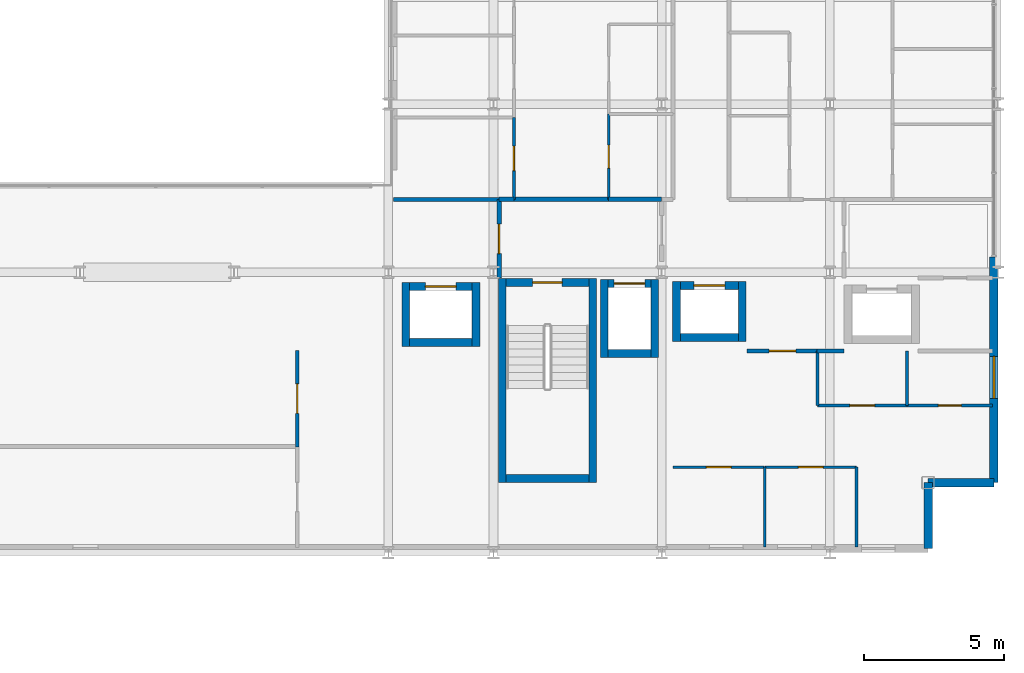
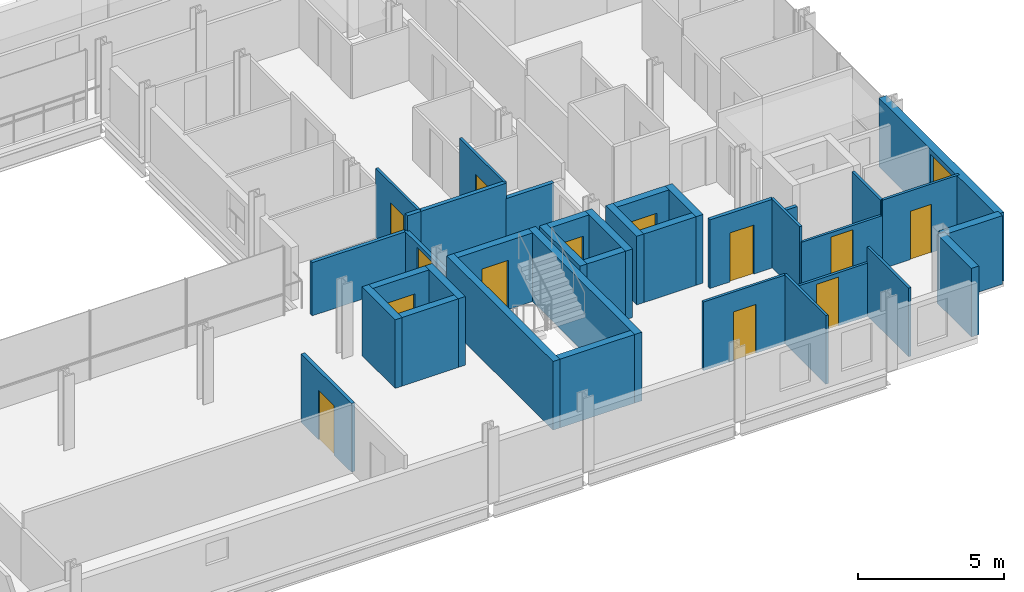
# One storey, part 34 of 41: 37 walls, 13 doors, 1 window, 14 openings.
"""IFC4 building model written with IfcOpenShell, lengths in metres."""

from ifc_helpers import new_model, si_unit, direction, frame, frame_2d, origin, place, context, subcontext, project, spatial, rectangle, extrude, material, layer, layer_set, type_object, element, fill, save


model = new_model("IFC4")

# Units and contexts
model_context = context("Model", 3, precision=1e-05, world=origin(), true_north=direction((0.0, 1.0)))
body_context = subcontext(model_context, "Body", "Model", "MODEL_VIEW")
ifc_project = project(units=[si_unit("LENGTHUNIT", "METRE"), si_unit("AREAUNIT", "SQUARE_METRE"), si_unit("VOLUMEUNIT", "CUBIC_METRE"), si_unit("PLANEANGLEUNIT", "RADIAN"), si_unit("MASSUNIT", "GRAM", prefix="KILO")], contexts=[model_context])

# Site, building, storey
site_placement = place(None, origin())
site = spatial("IfcSite", under=ifc_project, at=site_placement, CompositionType="ELEMENT")
building_placement = place(site_placement, origin())
building = spatial("IfcBuilding", under=site, at=building_placement, Name="Brevholm Reach", CompositionType="ELEMENT")
storey_placement = place(building_placement, frame((0.0, 0.0, 74.5)))
storey = spatial("IfcBuildingStorey", under=building, at=storey_placement, Name="L21", CompositionType="ELEMENT", Elevation=74.5)

# Walls
ifc_material_1 = material(Name="Concrete C50/60", Category="concrete")
ifc_layer_1 = layer(ifc_material_1, 0.280029296875)
ifc_layer_set_1 = layer_set([ifc_layer_1], Name="Concrete C50/60")
wall_type_1 = type_object("IfcWallType", Name="WAL-COR-280", PredefinedType="SHEAR", material=ifc_layer_set_1)
for number, where, z_axis, x_axis, name in (
    (1, (42.31005859375, 2.5, 0.0), (0.0, 0.0, 1.0), (0.0, 1.0, 0.0), "L21 Escape Stair ST-2 Core Wall W"),
    (2, (45.5400390625, 2.5, 0.0), (0.0, 0.0, 1.0), (0.0, 1.0, 0.0), "L21 Escape Stair ST-2 Core Wall E"),
):
    element("IfcWall", number, at=place(storey_placement, frame(where, z_axis=z_axis, x_axis=x_axis)), inside=storey, type_object=wall_type_1, Name=name, PredefinedType="SHEAR", context=body_context, shape_type="SweptSolid", body=[
        extrude(rectangle(XDim=7.280029296875, YDim=0.280029296875, at=frame_2d((3.64013671875, 0.0))), origin(), (0.0, 0.0, 1.0), 2.8701171875),
    ])
wall_1_placement = place(storey_placement, frame((42.449951171875, 2.639892578125, 0.0), z_axis=(0.0, 0.0, 1.0), x_axis=(1.0, 0.0, 0.0)))
element("IfcWall", 3, at=wall_1_placement, inside=storey, type_object=wall_type_1, Name="L21 Escape Stair ST-2 Core Wall S", PredefinedType="SHEAR", context=body_context, shape_type="SweptSolid", body=[
    extrude(rectangle(XDim=2.949951171875, YDim=0.280029296875, at=frame_2d((1.47509765625, 0.0))), origin(), (0.0, 0.0, 1.0), 2.8701171875),
])

# Wall, opening, door
wall_2_placement = place(storey_placement, frame((45.39990234375, 9.639892578125, 0.0), z_axis=(0.0, 0.0, 1.0), x_axis=(-1.0, 0.0, 0.0)))
wall_2 = element("IfcWall", 4, at=wall_2_placement, inside=storey, type_object=wall_type_1, Name="L21 Escape Stair ST-2 Core Wall N", PredefinedType="SHEAR", context=body_context, shape_type="SweptSolid", body=[
    extrude(rectangle(XDim=2.949951171875, YDim=0.280029296875, at=frame_2d((1.47509765625, 0.0))), origin(), (0.0, 0.0, 1.0), 2.8701171875),
])
opening_1_placement = place(wall_2_placement, frame((0.949951171875, 0.0, 0.0)))
opening_1 = element("IfcOpeningElement", 5, at=opening_1_placement, cuts=wall_2, Name="Opening SD-ST-2", PredefinedType="OPENING", context=body_context, shape_type="SweptSolid", body=[
    extrude(rectangle(XDim=1.050048828125, YDim=2.06005859375, at=frame_2d((0.52490234375, 1.030029296875))), frame((0.0, 0.14990234375, 0.0), z_axis=(0.0, -1.0, 0.0), x_axis=(1.0, 0.0, 0.0)), (0.0, 0.0, 1.0), 0.300048828125),
])
ifc_material_2 = material(Name="Hardwood-Lipped Steel-Core Fire and Smoke Door", Category="steel")
door_type_1 = type_object("IfcDoorType", Name="DOR-INT-FD60S", OperationType="NOTDEFINED", PredefinedType="DOOR", material=ifc_material_2)
door_1_placement = place(opening_1_placement, origin())
door_1 = element("IfcDoor", 6, at=door_1_placement, inside=storey, type_object=door_type_1, Name="L21 Protected Stair ST-2 Lobby Door", OperationType="SINGLE_SWING_RIGHT", OverallHeight=2.06005859375, OverallWidth=1.050048828125, PredefinedType="DOOR", context=body_context, shape_type="SweptSolid", body=[
    extrude(rectangle(XDim=1.050048828125, YDim=2.06005859375, at=frame_2d((0.52490234375, 1.030029296875))), frame((0.0, 0.02490234375, 0.0), z_axis=(0.0, -1.0, 0.0), x_axis=(1.0, 0.0, 0.0)), (0.0, 0.0, 1.0), 0.050048828125),
])
fill(opening_1, door_1)

# Walls
for number, where, z_axis, x_axis, name in (
    (7, (45.949951171875, 6.9599609375, 0.0), (0.0, 0.0, 1.0), (0.0, 1.0, 0.0), "L21 Lift FFL-2 Shaft Wall W"),
    (8, (47.75, 6.9599609375, 0.0), (0.0, 0.0, 1.0), (0.0, 1.0, 0.0), "L21 Lift FFL-2 Shaft Wall E"),
):
    element("IfcWall", number, at=place(storey_placement, frame(where, z_axis=z_axis, x_axis=x_axis)), inside=storey, type_object=wall_type_1, Name=name, PredefinedType="SHEAR", context=body_context, shape_type="SweptSolid", body=[
        extrude(rectangle(XDim=2.780029296875, YDim=0.280029296875, at=frame_2d((1.39013671875, 0.0))), origin(), (0.0, 0.0, 1.0), 2.8701171875),
    ])
wall_3_placement = place(storey_placement, frame((46.090087890625, 7.10009765625, 0.0), z_axis=(0.0, 0.0, 1.0), x_axis=(1.0, 0.0, 0.0)))
element("IfcWall", 9, at=wall_3_placement, inside=storey, type_object=wall_type_1, Name="L21 Lift FFL-2 Shaft Wall S", PredefinedType="SHEAR", context=body_context, shape_type="SweptSolid", body=[
    extrude(rectangle(XDim=1.52001953125, YDim=0.280029296875, at=frame_2d((0.760009765625, 0.0))), origin(), (0.0, 0.0, 1.0), 2.8701171875),
])

# Wall, opening, door
wall_4_placement = place(storey_placement, frame((46.090087890625, 9.60009765625, 0.0), z_axis=(0.0, 0.0, 1.0), x_axis=(1.0, 0.0, 0.0)))
wall_4 = element("IfcWall", 10, at=wall_4_placement, inside=storey, type_object=wall_type_1, Name="L21 Lift FFL-2 Shaft Wall N", PredefinedType="SHEAR", context=body_context, shape_type="SweptSolid", body=[
    extrude(rectangle(XDim=1.52001953125, YDim=0.280029296875, at=frame_2d((0.760009765625, 0.0))), origin(), (0.0, 0.0, 1.0), 2.8701171875),
])
opening_2_placement = place(wall_4_placement, frame((0.2099609375, 0.0, 0.0)))
opening_2 = element("IfcOpeningElement", 11, at=opening_2_placement, cuts=wall_4, Name="Opening LD-FFL-2", PredefinedType="OPENING", context=body_context, shape_type="SweptSolid", body=[
    extrude(rectangle(XDim=1.10009765625, YDim=2.06005859375, at=frame_2d((0.550048828125, 1.030029296875))), frame((0.0, 0.14990234375, 0.0), z_axis=(0.0, -1.0, 0.0), x_axis=(1.0, 0.0, 0.0)), (0.0, 0.0, 1.0), 0.300048828125),
])
ifc_material_3 = material(Name="Brushed Stainless Steel Fire-Rated Sliding Lift Door", Category="steel")
door_type_2 = type_object("IfcDoorType", Name="DOR-LFT-1100", OperationType="NOTDEFINED", PredefinedType="DOOR", material=ifc_material_3)
door_2_placement = place(opening_2_placement, origin())
door_2 = element("IfcDoor", 12, at=door_2_placement, inside=storey, type_object=door_type_2, Name="L21 Lift FFL-2 Sliding Landing Door", OperationType="SLIDING_TO_RIGHT", OverallHeight=2.06005859375, OverallWidth=1.10009765625, PredefinedType="DOOR", context=body_context, shape_type="SweptSolid", body=[
    extrude(rectangle(XDim=1.10009765625, YDim=2.06005859375, at=frame_2d((0.550048828125, 1.030029296875))), frame((0.0, 0.02490234375, 0.0), z_axis=(0.0, -1.0, 0.0), x_axis=(1.0, 0.0, 0.0)), (0.0, 0.0, 1.0), 0.050048828125),
])
fill(opening_2, door_2)

# Walls
for number, where, z_axis, x_axis, name in (
    (13, (48.52490234375, 7.534912109375, 0.0), (0.0, 0.0, 1.0), (0.0, 1.0, 0.0), "L21 Lift PL-L1 Shaft Wall W"),
    (14, (50.875, 7.534912109375, 0.0), (0.0, 0.0, 1.0), (0.0, 1.0, 0.0), "L21 Lift PL-L1 Shaft Wall E"),
):
    element("IfcWall", number, at=place(storey_placement, frame(where, z_axis=z_axis, x_axis=x_axis)), inside=storey, type_object=wall_type_1, Name=name, PredefinedType="SHEAR", context=body_context, shape_type="SweptSolid", body=[
        extrude(rectangle(XDim=2.130126953125, YDim=0.280029296875, at=frame_2d((1.06494140625, 0.0))), origin(), (0.0, 0.0, 1.0), 2.8701171875),
    ])
wall_5_placement = place(storey_placement, frame((48.6650390625, 7.675048828125, 0.0), z_axis=(0.0, 0.0, 1.0), x_axis=(1.0, 0.0, 0.0)))
element("IfcWall", 15, at=wall_5_placement, inside=storey, type_object=wall_type_1, Name="L21 Lift PL-L1 Shaft Wall S", PredefinedType="SHEAR", context=body_context, shape_type="SweptSolid", body=[
    extrude(rectangle(XDim=2.070068359375, YDim=0.280029296875, at=frame_2d((1.03515625, 0.0))), origin(), (0.0, 0.0, 1.0), 2.8701171875),
])

# Wall, opening, door
wall_6_placement = place(storey_placement, frame((48.6650390625, 9.52490234375, 0.0), z_axis=(0.0, 0.0, 1.0), x_axis=(1.0, 0.0, 0.0)))
wall_6 = element("IfcWall", 16, at=wall_6_placement, inside=storey, type_object=wall_type_1, Name="L21 Lift PL-L1 Shaft Wall N", PredefinedType="SHEAR", context=body_context, shape_type="SweptSolid", body=[
    extrude(rectangle(XDim=2.070068359375, YDim=0.280029296875, at=frame_2d((1.03515625, 0.0))), origin(), (0.0, 0.0, 1.0), 2.8701171875),
])
opening_3_placement = place(wall_6_placement, frame((0.485107421875, 0.0, 0.0)))
opening_3 = element("IfcOpeningElement", 17, at=opening_3_placement, cuts=wall_6, Name="Opening LD-PL-L1", PredefinedType="OPENING", context=body_context, shape_type="SweptSolid", body=[
    extrude(rectangle(XDim=1.10009765625, YDim=2.06005859375, at=frame_2d((0.550048828125, 1.030029296875))), frame((0.0, 0.14990234375, 0.0), z_axis=(0.0, -1.0, 0.0), x_axis=(1.0, 0.0, 0.0)), (0.0, 0.0, 1.0), 0.300048828125),
])
door_3_placement = place(opening_3_placement, origin())
door_3 = element("IfcDoor", 18, at=door_3_placement, inside=storey, type_object=door_type_2, Name="L21 Lift PL-L1 Sliding Landing Door", OperationType="SLIDING_TO_LEFT", OverallHeight=2.06005859375, OverallWidth=1.10009765625, PredefinedType="DOOR", context=body_context, shape_type="SweptSolid", body=[
    extrude(rectangle(XDim=1.10009765625, YDim=2.06005859375, at=frame_2d((0.550048828125, 1.030029296875))), frame((0.0, 0.02490234375, 0.0), z_axis=(0.0, -1.0, 0.0), x_axis=(1.0, 0.0, 0.0)), (0.0, 0.0, 1.0), 0.050048828125),
])
fill(opening_3, door_3)

# Walls
for number, where, z_axis, x_axis, name in (
    (19, (38.8701171875, 7.360107421875, 0.0), (0.0, 0.0, 1.0), (0.0, 1.0, 0.0), "L21 Lift PL-S1 Shaft Wall W"),
    (20, (41.3701171875, 7.360107421875, 0.0), (0.0, 0.0, 1.0), (0.0, 1.0, 0.0), "L21 Lift PL-S1 Shaft Wall E"),
):
    element("IfcWall", number, at=place(storey_placement, frame(where, z_axis=z_axis, x_axis=x_axis)), inside=storey, type_object=wall_type_1, Name=name, PredefinedType="SHEAR", context=body_context, shape_type="SweptSolid", body=[
        extrude(rectangle(XDim=2.27978515625, YDim=0.280029296875, at=frame_2d((1.139892578125, 0.0))), origin(), (0.0, 0.0, 1.0), 2.8701171875),
    ])
wall_7_placement = place(storey_placement, frame((39.010009765625, 7.5, 0.0), z_axis=(0.0, 0.0, 1.0), x_axis=(1.0, 0.0, 0.0)))
element("IfcWall", 21, at=wall_7_placement, inside=storey, type_object=wall_type_1, Name="L21 Lift PL-S1 Shaft Wall S", PredefinedType="SHEAR", context=body_context, shape_type="SweptSolid", body=[
    extrude(rectangle(XDim=2.219970703125, YDim=0.280029296875, at=frame_2d((1.10986328125, 0.0))), origin(), (0.0, 0.0, 1.0), 2.8701171875),
])

# Wall, opening, door
wall_8_placement = place(storey_placement, frame((39.010009765625, 9.5, 0.0), z_axis=(0.0, 0.0, 1.0), x_axis=(1.0, 0.0, 0.0)))
wall_8 = element("IfcWall", 22, at=wall_8_placement, inside=storey, type_object=wall_type_1, Name="L21 Lift PL-S1 Shaft Wall N", PredefinedType="SHEAR", context=body_context, shape_type="SweptSolid", body=[
    extrude(rectangle(XDim=2.219970703125, YDim=0.280029296875, at=frame_2d((1.10986328125, 0.0))), origin(), (0.0, 0.0, 1.0), 2.8701171875),
])
opening_4_placement = place(wall_8_placement, frame((0.56005859375, 0.0, 0.0)))
opening_4 = element("IfcOpeningElement", 23, at=opening_4_placement, cuts=wall_8, Name="Opening LD-PL-S1", PredefinedType="OPENING", context=body_context, shape_type="SweptSolid", body=[
    extrude(rectangle(XDim=1.10009765625, YDim=2.06005859375, at=frame_2d((0.550048828125, 1.030029296875))), frame((0.0, 0.14990234375, 0.0), z_axis=(0.0, -1.0, 0.0), x_axis=(1.0, 0.0, 0.0)), (0.0, 0.0, 1.0), 0.300048828125),
])
door_4_placement = place(opening_4_placement, origin())
door_4 = element("IfcDoor", 24, at=door_4_placement, inside=storey, type_object=door_type_2, Name="L21 Lift PL-S1 Sliding Landing Door", OperationType="SLIDING_TO_LEFT", OverallHeight=2.06005859375, OverallWidth=1.10009765625, PredefinedType="DOOR", context=body_context, shape_type="SweptSolid", body=[
    extrude(rectangle(XDim=1.10009765625, YDim=2.06005859375, at=frame_2d((0.550048828125, 1.030029296875))), frame((0.0, 0.02490234375, 0.0), z_axis=(0.0, -1.0, 0.0), x_axis=(1.0, 0.0, 0.0)), (0.0, 0.0, 1.0), 0.050048828125),
])
fill(opening_4, door_4)

# Walls
ifc_material_4 = material(Name="Concrete C40/50", Category="concrete")
ifc_layer_2 = layer(ifc_material_4, 0.300048828125)
ifc_layer_set_2 = layer_set([ifc_layer_2], Name="Concrete C40/50")
wall_type_2 = type_object("IfcWallType", Name="WAL-EXT-300", PredefinedType="STANDARD", material=ifc_layer_set_2)
for number, where, z_axis, x_axis, name in (
    (25, (57.5, 0.14990234375, 0.0), (0.0, 0.0, 1.0), (0.0, 1.0, 0.0), "L21 Facade Wall WAL-L21-CSE1"),
    (26, (57.5, 2.5, 0.0), (0.0, 0.0, 1.0), (1.0, 0.0, 0.0), "L21 Facade Wall WAL-L21-CSE2"),
):
    element("IfcWall", number, at=place(storey_placement, frame(where, z_axis=z_axis, x_axis=x_axis)), inside=storey, type_object=wall_type_2, Name=name, PredefinedType="STANDARD", context=body_context, shape_type="SweptSolid", body=[
        extrude(rectangle(XDim=2.35009765625, YDim=0.300048828125, at=frame_2d((1.175048828125, 0.0))), origin(), (0.0, 0.0, 1.0), 2.8701171875),
    ])

# Wall, opening, window
wall_9_placement = place(storey_placement, frame((59.85009765625, 2.5, 0.0), z_axis=(0.0, 0.0, 1.0), x_axis=(0.0, 1.0, 0.0)))
wall_9 = element("IfcWall", 27, at=wall_9_placement, inside=storey, type_object=wall_type_2, Name="L21 Facade Wall WAL-L21-E-S", PredefinedType="STANDARD", context=body_context, shape_type="SweptSolid", body=[
    extrude(rectangle(XDim=8.050048828125, YDim=0.300048828125, at=frame_2d((4.02490234375, 0.0))), origin(), (0.0, 0.0, 1.0), 2.8701171875),
])
opening_5_placement = place(wall_9_placement, frame((3.0, 0.0, 0.85009765625)))
opening_5 = element("IfcOpeningElement", 28, at=opening_5_placement, cuts=wall_9, Name="Opening WN-05", PredefinedType="OPENING", context=body_context, shape_type="SweptSolid", body=[
    extrude(rectangle(XDim=1.5, YDim=1.800048828125, at=frame_2d((0.75, 0.89990234375))), frame((0.0, 0.159912109375, 0.0), z_axis=(0.0, -1.0, 0.0), x_axis=(1.0, 0.0, 0.0)), (0.0, 0.0, 1.0), 0.320068359375),
])
ifc_material_5 = material(Name="Dark Anodised Aluminium and Solar-Control IGU Glass", Category="aluminium")
window_type = type_object("IfcWindowType", Name="WIN-RES-1500", PartitioningType="SINGLE_PANEL", PredefinedType="WINDOW", material=ifc_material_5)
window_placement = place(opening_5_placement, origin())
window = element("IfcWindow", 29, at=window_placement, inside=storey, type_object=window_type, Name="L21 Window WIN-L21-ES-1", OverallHeight=1.800048828125, OverallWidth=1.5, PartitioningType="SINGLE_PANEL", PredefinedType="WINDOW", context=body_context, shape_type="SweptSolid", body=[
    extrude(rectangle(XDim=1.5, YDim=1.800048828125, at=frame_2d((0.75, 0.89990234375))), frame((0.0, 0.030029296875, 0.0), z_axis=(0.0, -1.0, 0.0), x_axis=(1.0, 0.0, 0.0)), (0.0, 0.0, 1.0), 0.06005859375),
])
fill(opening_5, window)

# Wall
ifc_material_6 = material(Name="Moisture-Resistant Acoustic Gypsum Stud Partition 100 mm", Category="gypsum")
ifc_layer_3 = layer(ifc_material_6, 0.10009765625)
ifc_layer_set_3 = layer_set([ifc_layer_3], Name="Moisture-Resistant Acoustic Gypsum Stud Partition 100 mm")
wall_type_3 = type_object("IfcWallType", Name="WAL-PRT-100", PredefinedType="PARTITIONING", material=ifc_layer_set_3)
wall_10_placement = place(storey_placement, frame((56.75, 5.25, 0.0), z_axis=(0.0, 0.0, 1.0), x_axis=(0.0, 1.0, 0.0)))
element("IfcWall", 30, at=wall_10_placement, inside=storey, type_object=wall_type_3, Name="L21 Internal Partition 079", PredefinedType="PARTITIONING", context=body_context, shape_type="SweptSolid", body=[
    extrude(rectangle(XDim=1.949951171875, YDim=0.10009765625, at=frame_2d((0.97509765625, 0.0))), origin(), (0.0, 0.0, 1.0), 2.8701171875),
])

# Wall, opening, door
wall_11_placement = place(storey_placement, frame((56.75, 5.25, 0.0), z_axis=(0.0, 0.0, 1.0), x_axis=(1.0, 0.0, 0.0)))
wall_11 = element("IfcWall", 31, at=wall_11_placement, inside=storey, type_object=wall_type_3, Name="L21 Internal Partition 080", PredefinedType="PARTITIONING", context=body_context, shape_type="SweptSolid", body=[
    extrude(rectangle(XDim=3.050048828125, YDim=0.10009765625, at=frame_2d((1.52490234375, 0.0))), origin(), (0.0, 0.0, 1.0), 2.8701171875),
])
opening_6_placement = place(wall_11_placement, frame((1.114990234375, 0.0, 0.0)))
opening_6 = element("IfcOpeningElement", 32, at=opening_6_placement, cuts=wall_11, Name="Opening ID-03", PredefinedType="OPENING", context=body_context, shape_type="SweptSolid", body=[
    extrude(rectangle(XDim=0.820068359375, YDim=2.02001953125, at=frame_2d((0.41015625, 1.010009765625))), frame((0.0, 0.06005859375, 0.0), z_axis=(0.0, -1.0, 0.0), x_axis=(1.0, 0.0, 0.0)), (0.0, 0.0, 1.0), 0.1201171875),
])
ifc_material_7 = material(Name="Moisture-Resistant Painted Timber Internal Bathroom Door", Category="wood")
door_type_3 = type_object("IfcDoorType", Name="DOR-BATH-820", OperationType="NOTDEFINED", PredefinedType="DOOR", material=ifc_material_7)
door_5_placement = place(opening_6_placement, origin())
door_5 = element("IfcDoor", 33, at=door_5_placement, inside=storey, type_object=door_type_3, Name="L21 Internal Door 026", OperationType="SINGLE_SWING_RIGHT", OverallHeight=2.02001953125, OverallWidth=0.820068359375, PredefinedType="DOOR", context=body_context, shape_type="SweptSolid", body=[
    extrude(rectangle(XDim=0.820068359375, YDim=2.02001953125, at=frame_2d((0.41015625, 1.010009765625))), frame((0.0, 0.02490234375, 0.0), z_axis=(0.0, -1.0, 0.0), x_axis=(1.0, 0.0, 0.0)), (0.0, 0.0, 1.0), 0.050048828125),
])
fill(opening_6, door_5)

wall_12_placement = place(storey_placement, frame((53.55810546875, 5.25, 0.0), z_axis=(0.0, 0.0, 1.0), x_axis=(1.0, 0.0, 0.0)))
wall_12 = element("IfcWall", 34, at=wall_12_placement, inside=storey, type_object=wall_type_3, Name="L21 Internal Partition 081", PredefinedType="PARTITIONING", context=body_context, shape_type="SweptSolid", body=[
    extrude(rectangle(XDim=3.18798828125, YDim=0.10009765625, at=frame_2d((1.593994140625, 0.0))), origin(), (0.0, 0.0, 1.0), 2.224853515625),
])
opening_7_placement = place(wall_12_placement, frame((1.154052734375, 0.0, 0.0)))
opening_7 = element("IfcOpeningElement", 35, at=opening_7_placement, cuts=wall_12, Name="Opening ID-01", PredefinedType="OPENING", context=body_context, shape_type="SweptSolid", body=[
    extrude(rectangle(XDim=0.8798828125, YDim=2.0400390625, at=frame_2d((0.43994140625, 1.02001953125))), frame((0.0, 0.06005859375, 0.0), z_axis=(0.0, -1.0, 0.0), x_axis=(1.0, 0.0, 0.0)), (0.0, 0.0, 1.0), 0.1201171875),
])
ifc_material_8 = material(Name="Lacquered Ash Solid-Core Acoustic Internal Door", Category="timber")
door_type_4 = type_object("IfcDoorType", Name="DOR-INT-880", OperationType="NOTDEFINED", PredefinedType="DOOR", material=ifc_material_8)
door_6_placement = place(opening_7_placement, origin())
door_6 = element("IfcDoor", 36, at=door_6_placement, inside=storey, type_object=door_type_4, Name="L21 Internal Door 027", OperationType="SINGLE_SWING_LEFT", OverallHeight=2.0400390625, OverallWidth=0.8798828125, PredefinedType="DOOR", context=body_context, shape_type="SweptSolid", body=[
    extrude(rectangle(XDim=0.8798828125, YDim=2.0400390625, at=frame_2d((0.43994140625, 1.02001953125))), frame((0.0, 0.02490234375, 0.0), z_axis=(0.0, -1.0, 0.0), x_axis=(1.0, 0.0, 0.0)), (0.0, 0.0, 1.0), 0.050048828125),
])
fill(opening_7, door_6)

# Walls
wall_13_placement = place(storey_placement, frame((53.55810546875, 5.25, 0.0), z_axis=(0.0, 0.0, 1.0), x_axis=(0.0, 1.0, 0.0)))
element("IfcWall", 37, at=wall_13_placement, inside=storey, type_object=wall_type_3, Name="L21 Internal Partition 082", PredefinedType="PARTITIONING", context=body_context, shape_type="SweptSolid", body=[
    extrude(rectangle(XDim=1.946044921875, YDim=0.10009765625, at=frame_2d((0.97314453125, 0.0))), origin(), (0.0, 0.0, 1.0), 2.8701171875),
])
wall_14_placement = place(storey_placement, frame((51.675048828125, 0.199951171875, 0.0), z_axis=(0.0, 0.0, 1.0), x_axis=(0.0, 1.0, 0.0)))
element("IfcWall", 38, at=wall_14_placement, inside=storey, type_object=wall_type_3, Name="L21 Internal Partition 083", PredefinedType="PARTITIONING", context=body_context, shape_type="SweptSolid", body=[
    extrude(rectangle(XDim=2.85009765625, YDim=0.10009765625, at=frame_2d((1.425048828125, 0.0))), origin(), (0.0, 0.0, 1.0), 2.8701171875),
])

# Wall, opening, door
wall_15_placement = place(storey_placement, frame((48.39990234375, 3.050048828125, 0.0), z_axis=(0.0, 0.0, 1.0), x_axis=(1.0, 0.0, 0.0)))
wall_15 = element("IfcWall", 39, at=wall_15_placement, inside=storey, type_object=wall_type_3, Name="L21 Internal Partition 084", PredefinedType="PARTITIONING", context=body_context, shape_type="SweptSolid", body=[
    extrude(rectangle(XDim=3.275146484375, YDim=0.10009765625, at=frame_2d((1.6376953125, 0.0))), origin(), (0.0, 0.0, 1.0), 2.8701171875),
])
opening_8_placement = place(wall_15_placement, frame((1.197509765625, 0.0, 0.0)))
opening_8 = element("IfcOpeningElement", 40, at=opening_8_placement, cuts=wall_15, Name="Opening ID-01", PredefinedType="OPENING", context=body_context, shape_type="SweptSolid", body=[
    extrude(rectangle(XDim=0.8798828125, YDim=2.0400390625, at=frame_2d((0.43994140625, 1.02001953125))), frame((0.0, 0.06005859375, 0.0), z_axis=(0.0, -1.0, 0.0), x_axis=(1.0, 0.0, 0.0)), (0.0, 0.0, 1.0), 0.1201171875),
])
door_7_placement = place(opening_8_placement, origin())
door_7 = element("IfcDoor", 41, at=door_7_placement, inside=storey, type_object=door_type_4, Name="L21 Internal Door 028", OperationType="SINGLE_SWING_RIGHT", OverallHeight=2.0400390625, OverallWidth=0.8798828125, PredefinedType="DOOR", context=body_context, shape_type="SweptSolid", body=[
    extrude(rectangle(XDim=0.8798828125, YDim=2.0400390625, at=frame_2d((0.43994140625, 1.02001953125))), frame((0.0, 0.02490234375, 0.0), z_axis=(0.0, -1.0, 0.0), x_axis=(1.0, 0.0, 0.0)), (0.0, 0.0, 1.0), 0.050048828125),
])
fill(opening_8, door_7)

# Wall
wall_16_placement = place(storey_placement, frame((54.949951171875, 0.199951171875, 0.0), z_axis=(0.0, 0.0, 1.0), x_axis=(0.0, 1.0, 0.0)))
element("IfcWall", 42, at=wall_16_placement, inside=storey, type_object=wall_type_3, Name="L21 Internal Partition 085", PredefinedType="PARTITIONING", context=body_context, shape_type="SweptSolid", body=[
    extrude(rectangle(XDim=2.85009765625, YDim=0.10009765625, at=frame_2d((1.425048828125, 0.0))), origin(), (0.0, 0.0, 1.0), 2.8701171875),
])

# Wall, opening, door
wall_17_placement = place(storey_placement, frame((51.678955078125, 3.050048828125, 0.0), z_axis=(0.0, 0.0, 1.0), x_axis=(1.0, 0.0, 0.0)))
wall_17 = element("IfcWall", 43, at=wall_17_placement, inside=storey, type_object=wall_type_3, Name="L21 Internal Partition 086", PredefinedType="PARTITIONING", context=body_context, shape_type="SweptSolid", body=[
    extrude(rectangle(XDim=3.27099609375, YDim=0.10009765625, at=frame_2d((1.635498046875, 0.0))), origin(), (0.0, 0.0, 1.0), 2.224853515625),
])
opening_9_placement = place(wall_17_placement, frame((1.195556640625, 0.0, 0.0)))
opening_9 = element("IfcOpeningElement", 44, at=opening_9_placement, cuts=wall_17, Name="Opening ID-01", PredefinedType="OPENING", context=body_context, shape_type="SweptSolid", body=[
    extrude(rectangle(XDim=0.8798828125, YDim=2.0400390625, at=frame_2d((0.43994140625, 1.02001953125))), frame((0.0, 0.06005859375, 0.0), z_axis=(0.0, -1.0, 0.0), x_axis=(1.0, 0.0, 0.0)), (0.0, 0.0, 1.0), 0.1201171875),
])
door_8_placement = place(opening_9_placement, origin())
door_8 = element("IfcDoor", 45, at=door_8_placement, inside=storey, type_object=door_type_4, Name="L21 Internal Door 029", OperationType="SINGLE_SWING_LEFT", OverallHeight=2.0400390625, OverallWidth=0.8798828125, PredefinedType="DOOR", context=body_context, shape_type="SweptSolid", body=[
    extrude(rectangle(XDim=0.8798828125, YDim=2.0400390625, at=frame_2d((0.43994140625, 1.02001953125))), frame((0.0, 0.02490234375, 0.0), z_axis=(0.0, -1.0, 0.0), x_axis=(1.0, 0.0, 0.0)), (0.0, 0.0, 1.0), 0.050048828125),
])
fill(opening_9, door_8)

wall_18_placement = place(storey_placement, frame((46.112060546875, 12.60400390625, 0.0), z_axis=(0.0, 0.0, 1.0), x_axis=(0.0, 1.0, 0.0)))
wall_18 = element("IfcWall", 46, at=wall_18_placement, inside=storey, type_object=wall_type_3, Name="L21 Internal Partition 121", PredefinedType="PARTITIONING", context=body_context, shape_type="SweptSolid", body=[
    extrude(rectangle(XDim=3.0458984375, YDim=0.10009765625, at=frame_2d((1.52294921875, 0.0))), origin(), (0.0, 0.0, 1.0), 2.8701171875),
])
opening_10_placement = place(wall_18_placement, frame((1.113037109375, 0.0, 0.0)))
opening_10 = element("IfcOpeningElement", 47, at=opening_10_placement, cuts=wall_18, Name="Opening ID-03", PredefinedType="OPENING", context=body_context, shape_type="SweptSolid", body=[
    extrude(rectangle(XDim=0.820068359375, YDim=2.02001953125, at=frame_2d((0.41015625, 1.010009765625))), frame((0.0, 0.06005859375, 0.0), z_axis=(0.0, -1.0, 0.0), x_axis=(1.0, 0.0, 0.0)), (0.0, 0.0, 1.0), 0.1201171875),
])
door_9_placement = place(opening_10_placement, origin())
door_9 = element("IfcDoor", 48, at=door_9_placement, inside=storey, type_object=door_type_3, Name="L21 Internal Door 045", OperationType="SINGLE_SWING_LEFT", OverallHeight=2.02001953125, OverallWidth=0.820068359375, PredefinedType="DOOR", context=body_context, shape_type="SweptSolid", body=[
    extrude(rectangle(XDim=0.820068359375, YDim=2.02001953125, at=frame_2d((0.41015625, 1.010009765625))), frame((0.0, 0.02490234375, 0.0), z_axis=(0.0, -1.0, 0.0), x_axis=(1.0, 0.0, 0.0)), (0.0, 0.0, 1.0), 0.050048828125),
])
fill(opening_10, door_9)

wall_19_placement = place(storey_placement, frame((42.72802734375, 12.60400390625, 0.0), z_axis=(0.0, 0.0, 1.0), x_axis=(0.0, 1.0, 0.0)))
wall_19 = element("IfcWall", 49, at=wall_19_placement, inside=storey, type_object=wall_type_3, Name="L21 Internal Partition 127", PredefinedType="PARTITIONING", context=body_context, shape_type="SweptSolid", body=[
    extrude(rectangle(XDim=2.9208984375, YDim=0.10009765625, at=frame_2d((1.46044921875, 0.0))), origin(), (0.0, 0.0, 1.0), 2.8701171875),
])
opening_11_placement = place(wall_19_placement, frame((1.0205078125, 0.0, 0.0)))
opening_11 = element("IfcOpeningElement", 50, at=opening_11_placement, cuts=wall_19, Name="Opening ID-01", PredefinedType="OPENING", context=body_context, shape_type="SweptSolid", body=[
    extrude(rectangle(XDim=0.8798828125, YDim=2.0400390625, at=frame_2d((0.43994140625, 1.02001953125))), frame((0.0, 0.06005859375, 0.0), z_axis=(0.0, -1.0, 0.0), x_axis=(1.0, 0.0, 0.0)), (0.0, 0.0, 1.0), 0.1201171875),
])
door_10_placement = place(opening_11_placement, origin())
door_10 = element("IfcDoor", 51, at=door_10_placement, inside=storey, type_object=door_type_4, Name="L21 Internal Door 048", OperationType="SINGLE_SWING_RIGHT", OverallHeight=2.0400390625, OverallWidth=0.8798828125, PredefinedType="DOOR", context=body_context, shape_type="SweptSolid", body=[
    extrude(rectangle(XDim=0.8798828125, YDim=2.0400390625, at=frame_2d((0.43994140625, 1.02001953125))), frame((0.0, 0.02490234375, 0.0), z_axis=(0.0, -1.0, 0.0), x_axis=(1.0, 0.0, 0.0)), (0.0, 0.0, 1.0), 0.050048828125),
])
fill(opening_11, door_10)

ifc_material_9 = material(Name="Twin-Stud Acoustic Fire-Rated Gypsum Partition 140 mm", Category="gypsum")
ifc_layer_4 = layer(ifc_material_9, 0.139892578125)
ifc_layer_set_4 = layer_set([ifc_layer_4], Name="Twin-Stud Acoustic Fire-Rated Gypsum Partition 140 mm")
wall_type_4 = type_object("IfcWallType", Name="WAL-PRT-140", PredefinedType="PARTITIONING", material=ifc_layer_set_4)
wall_20_placement = place(storey_placement, frame((35.0, 3.772705078125, 0.0), z_axis=(0.0, 0.0, 1.0), x_axis=(0.0, 1.0, 0.0)))
wall_20 = element("IfcWall", 52, at=wall_20_placement, inside=storey, type_object=wall_type_4, Name="L21 Internal Partition 002", PredefinedType="PARTITIONING", context=body_context, shape_type="SweptSolid", body=[
    extrude(rectangle(XDim=3.4384765625, YDim=0.139892578125, at=frame_2d((1.71923828125, 0.0))), origin(), (0.0, 0.0, 1.0), 2.8701171875),
])
opening_12_placement = place(wall_20_placement, frame((1.1943359375, 0.0, 0.0)))
opening_12 = element("IfcOpeningElement", 53, at=opening_12_placement, cuts=wall_20, Name="Opening FD-01", PredefinedType="OPENING", context=body_context, shape_type="SweptSolid", body=[
    extrude(rectangle(XDim=1.050048828125, YDim=2.06005859375, at=frame_2d((0.52490234375, 1.030029296875))), frame((0.0, 0.079833984375, 0.0), z_axis=(0.0, -1.0, 0.0), x_axis=(1.0, 0.0, 0.0)), (0.0, 0.0, 1.0), 0.159912109375),
])
door_11_placement = place(opening_12_placement, origin())
door_11 = element("IfcDoor", 54, at=door_11_placement, inside=storey, type_object=door_type_1, Name="L21 Internal Door 002", OperationType="SINGLE_SWING_RIGHT", OverallHeight=2.06005859375, OverallWidth=1.050048828125, PredefinedType="DOOR", context=body_context, shape_type="SweptSolid", body=[
    extrude(rectangle(XDim=1.050048828125, YDim=2.06005859375, at=frame_2d((0.52490234375, 1.030029296875))), frame((0.0, 0.02490234375, 0.0), z_axis=(0.0, -1.0, 0.0), x_axis=(1.0, 0.0, 0.0)), (0.0, 0.0, 1.0), 0.050048828125),
])
fill(opening_12, door_11)

# Wall
wall_21_placement = place(storey_placement, frame((53.546630859375, 7.199951171875, 0.0), z_axis=(0.0, 0.0, 1.0), x_axis=(1.0, 0.0, 0.0)))
element("IfcWall", 55, at=wall_21_placement, inside=storey, type_object=wall_type_4, Name="L21 Internal Partition 010", PredefinedType="PARTITIONING", context=body_context, shape_type="SweptSolid", body=[
    extrude(rectangle(XDim=0.953369140625, YDim=0.139892578125, at=frame_2d((0.4765625, 0.0))), origin(), (0.0, 0.0, 1.0), 2.224853515625),
])

# Wall, opening, door
wall_22_placement = place(storey_placement, frame((51.050048828125, 7.199951171875, 0.0), z_axis=(0.0, 0.0, 1.0), x_axis=(1.0, 0.0, 0.0)))
wall_22 = element("IfcWall", 56, at=wall_22_placement, inside=storey, type_object=wall_type_4, Name="L21 Internal Partition 011", PredefinedType="PARTITIONING", context=body_context, shape_type="SweptSolid", body=[
    extrude(rectangle(XDim=2.51513671875, YDim=0.139892578125, at=frame_2d((1.257568359375, 0.0))), origin(), (0.0, 0.0, 1.0), 2.8701171875),
])
opening_13_placement = place(wall_22_placement, frame((0.78271484375, 0.0, 0.0)))
opening_13 = element("IfcOpeningElement", 57, at=opening_13_placement, cuts=wall_22, Name="Opening ID-30", PredefinedType="OPENING", context=body_context, shape_type="SweptSolid", body=[
    extrude(rectangle(XDim=0.949951171875, YDim=2.050048828125, at=frame_2d((0.47509765625, 1.02490234375))), frame((0.0, 0.079833984375, 0.0), z_axis=(0.0, -1.0, 0.0), x_axis=(1.0, 0.0, 0.0)), (0.0, 0.0, 1.0), 0.159912109375),
])
ifc_material_10 = material(Name="European Oak Veneered Solid-Core Fire Entrance Door", Category="timber")
door_type_5 = type_object("IfcDoorType", Name="DOR-FLT-FD30S", OperationType="NOTDEFINED", PredefinedType="DOOR", material=ifc_material_10)
door_12_placement = place(opening_13_placement, origin())
door_12 = element("IfcDoor", 58, at=door_12_placement, inside=storey, type_object=door_type_5, Name="L21 Internal Door 006", OperationType="SINGLE_SWING_RIGHT", OverallHeight=2.050048828125, OverallWidth=0.949951171875, PredefinedType="DOOR", context=body_context, shape_type="SweptSolid", body=[
    extrude(rectangle(XDim=0.949951171875, YDim=2.050048828125, at=frame_2d((0.47509765625, 1.02490234375))), frame((0.0, 0.02490234375, 0.0), z_axis=(0.0, -1.0, 0.0), x_axis=(1.0, 0.0, 0.0)), (0.0, 0.0, 1.0), 0.050048828125),
])
fill(opening_13, door_12)

# Wall
wall_23_placement = place(storey_placement, frame((38.438720703125, 12.60009765625, 0.0), z_axis=(0.0, 0.0, 1.0), x_axis=(1.0, 0.0, 0.0)))
element("IfcWall", 59, at=wall_23_placement, inside=storey, type_object=wall_type_4, Name="L21 Internal Partition 031", PredefinedType="PARTITIONING", context=body_context, shape_type="SweptSolid", body=[
    extrude(rectangle(XDim=3.75732421875, YDim=0.139892578125, at=frame_2d((1.878662109375, 0.0))), origin(), (0.0, 0.0, 1.0), 2.224853515625),
])

# Wall, opening, door
ifc_material_11 = material(Name="Twin-Frame Fire-Rated Gypsum Board and Mineral Wool 160 mm", Category="gypsum")
ifc_layer_5 = layer(ifc_material_11, 0.159912109375)
ifc_layer_set_5 = layer_set([ifc_layer_5], Name="Twin-Frame Fire-Rated Gypsum Board and Mineral Wool 160 mm")
wall_type_5 = type_object("IfcWallType", Name="WAL-PRT-160", PredefinedType="PARTITIONING", material=ifc_layer_set_5)
wall_24_placement = place(storey_placement, frame((42.199951171875, 9.7900390625, 0.0), z_axis=(0.0, 0.0, 1.0), x_axis=(0.0, 1.0, 0.0)))
wall_24 = element("IfcWall", 60, at=wall_24_placement, inside=storey, type_object=wall_type_5, Name="L21 Internal Partition 020", PredefinedType="PARTITIONING", context=body_context, shape_type="SweptSolid", body=[
    extrude(rectangle(XDim=2.81005859375, YDim=0.159912109375, at=frame_2d((1.405029296875, 0.0))), origin(), (0.0, 0.0, 1.0), 2.224853515625),
])
opening_14_placement = place(wall_24_placement, frame((0.8798828125, 0.0, 0.0)))
opening_14 = element("IfcOpeningElement", 61, at=opening_14_placement, cuts=wall_24, Name="Opening FD-01", PredefinedType="OPENING", context=body_context, shape_type="SweptSolid", body=[
    extrude(rectangle(XDim=1.050048828125, YDim=2.06005859375, at=frame_2d((0.52490234375, 1.030029296875))), frame((0.0, 0.08984375, 0.0), z_axis=(0.0, -1.0, 0.0), x_axis=(1.0, 0.0, 0.0)), (0.0, 0.0, 1.0), 0.179931640625),
])
door_13_placement = place(opening_14_placement, origin())
door_13 = element("IfcDoor", 62, at=door_13_placement, inside=storey, type_object=door_type_1, Name="L21 Internal Door 010", OperationType="SINGLE_SWING_RIGHT", OverallHeight=2.06005859375, OverallWidth=1.050048828125, PredefinedType="DOOR", context=body_context, shape_type="SweptSolid", body=[
    extrude(rectangle(XDim=1.050048828125, YDim=2.06005859375, at=frame_2d((0.52490234375, 1.030029296875))), frame((0.0, 0.02490234375, 0.0), z_axis=(0.0, -1.0, 0.0), x_axis=(1.0, 0.0, 0.0)), (0.0, 0.0, 1.0), 0.050048828125),
])
fill(opening_14, door_13)

# Walls
wall_25_placement = place(storey_placement, frame((46.1005859375, 12.60009765625, 0.0), z_axis=(0.0, 0.0, 1.0), x_axis=(1.0, 0.0, 0.0)))
element("IfcWall", 63, at=wall_25_placement, inside=storey, type_object=wall_type_5, Name="L21 Internal Partition 022", PredefinedType="PARTITIONING", context=body_context, shape_type="SweptSolid", body=[
    extrude(rectangle(XDim=1.8994140625, YDim=0.159912109375, at=frame_2d((0.94970703125, 0.0))), origin(), (0.0, 0.0, 1.0), 2.224853515625),
])
wall_26_placement = place(storey_placement, frame((42.199951171875, 12.60009765625, 0.0), z_axis=(0.0, 0.0, 1.0), x_axis=(1.0, 0.0, 0.0)))
element("IfcWall", 64, at=wall_26_placement, inside=storey, type_object=wall_type_5, Name="L21 Internal Partition 023", PredefinedType="PARTITIONING", context=body_context, shape_type="SweptSolid", body=[
    extrude(rectangle(XDim=0.539306640625, YDim=0.159912109375, at=frame_2d((0.26953125, 0.0))), origin(), (0.0, 0.0, 1.0), 2.8701171875),
])
wall_27_placement = place(storey_placement, frame((42.720703125, 12.60009765625, 0.0), z_axis=(0.0, 0.0, 1.0), x_axis=(1.0, 0.0, 0.0)))
element("IfcWall", 65, at=wall_27_placement, inside=storey, type_object=wall_type_5, Name="L21 Internal Partition 024", PredefinedType="PARTITIONING", context=body_context, shape_type="SweptSolid", body=[
    extrude(rectangle(XDim=3.398681640625, YDim=0.159912109375, at=frame_2d((1.69921875, 0.0))), origin(), (0.0, 0.0, 1.0), 2.8701171875),
])

save(model, "model.ifc")
